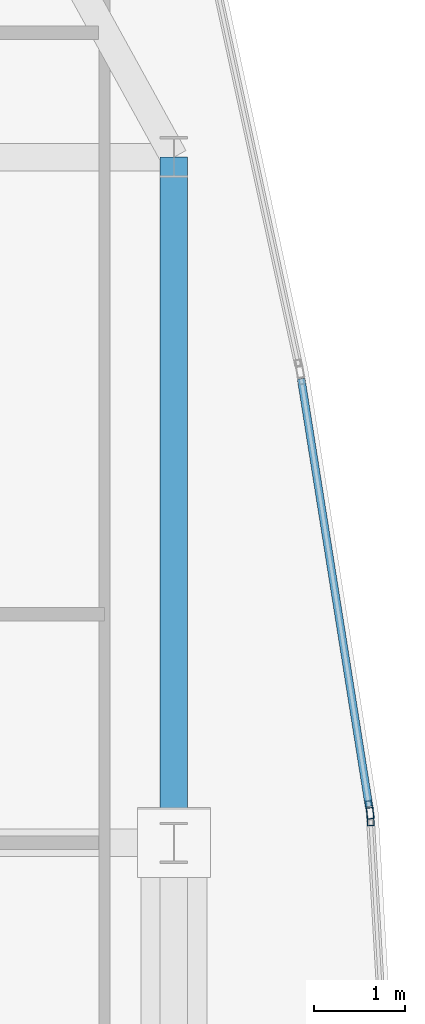
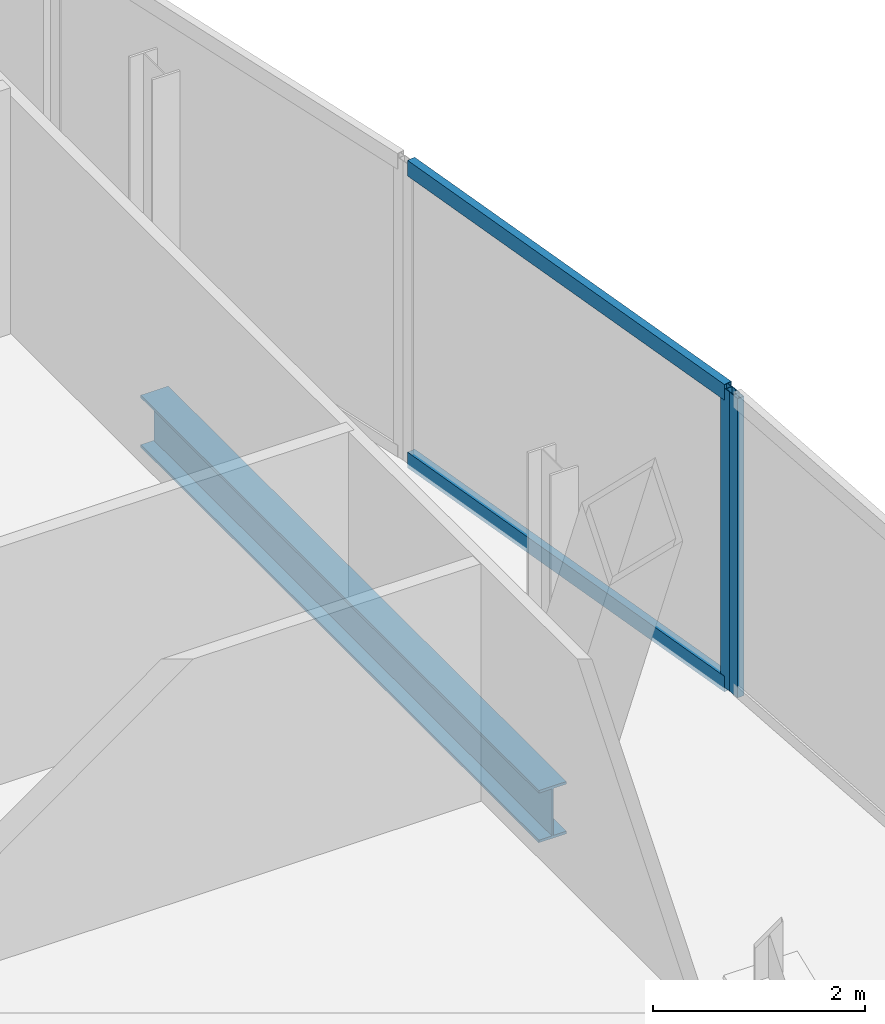
# One storey, part 21 of 33: 4 members, 1 beam, 2 elements without a shape of their own.
"""IFC4 building model written with IfcOpenShell, lengths in metres."""

from ifc_helpers import new_model, si_unit, direction, frame, origin, origin_2d, place, context, subcontext, project, spatial, hollow_rectangle, i_section, extrude, material, material_profile, profile_set, type_object, element, aggregate, save


model = new_model("IFC4")

# Units and contexts
model_context = context("Model", 3, precision=1e-05, world=origin(), true_north=direction((0.0, 1.0)))
body_context = subcontext(model_context, "Body", "Model", "MODEL_VIEW")
ifc_project = project(units=[si_unit("LENGTHUNIT", "METRE"), si_unit("AREAUNIT", "SQUARE_METRE"), si_unit("VOLUMEUNIT", "CUBIC_METRE"), si_unit("PLANEANGLEUNIT", "RADIAN"), si_unit("MASSUNIT", "GRAM", prefix="KILO")], contexts=[model_context])

# Site, building, storey
site_placement = place(None, origin())
site = spatial("IfcSite", under=ifc_project, at=site_placement, CompositionType="ELEMENT")
building_placement = place(site_placement, origin())
building = spatial("IfcBuilding", under=site, at=building_placement, Name="Khoronbel Lancet Exchange", CompositionType="ELEMENT")
storey_placement = place(building_placement, frame((0.0, 0.0, 210.199951171875)))
storey = spatial("IfcBuildingStorey", under=building, at=storey_placement, Name="L53", CompositionType="ELEMENT", Elevation=210.199951171875)

# Beam
ifc_material_1 = material(Name="Steel S355", Category="steel")
ifc_material_profile_1 = material_profile(ifc_material_1, i_section(OverallWidth=0.300048828125, OverallDepth=0.60009765625, WebThickness=0.015380859375, FlangeThickness=0.030029296875, at=origin_2d()), Name="HEB 600")
ifc_profile_set_1 = profile_set([ifc_material_profile_1], Name="Steel S355")
beam_type = type_object("IfcBeamType", Name="BM-BSP2", PredefinedType="SPANDREL", material=ifc_profile_set_1)
beam_placement = place(storey_placement, frame((65.6298828125, 35.699951171875, -0.4599609375), z_axis=(0.0, 1.0, 0.0), x_axis=(-1.0, 0.0, 0.0)))
element("IfcBeam", 1, at=beam_placement, inside=storey, type_object=beam_type, Name="Level L53 perimeter spandrel beam SP14", PredefinedType="SPANDREL", context=body_context, shape_type="SweptSolid", body=[
    extrude(i_section(OverallWidth=0.300048828125, OverallDepth=0.60009765625, WebThickness=0.015380859375, FlangeThickness=0.030029296875, at=origin_2d()), origin(), (0.0, 0.0, 1.0), 7.5),
])

# Curtain wall, member
ifc_material_2 = material(Name="Low-E Solar Control Insulating Glass", Category="glass")
curtain_wall_type = type_object("IfcCurtainWallType", Name="CW-4", PredefinedType="NOTDEFINED", material=ifc_material_2)
curtain_wall_1_placement = place(storey_placement, origin())
curtain_wall_1 = element("IfcCurtainWall", 2, at=curtain_wall_1_placement, inside=storey, type_object=curtain_wall_type, Name="Unitised curtain wall CW-L53-E18", PredefinedType="NOTDEFINED")
ifc_material_3 = material(Name="Bronze-Anodised Aluminium 6063-T6", Category="aluminium")
ifc_material_profile_2 = material_profile(ifc_material_3, hollow_rectangle(XDim=0.074951171875, YDim=0.199951171875, WallThickness=0.0048828125, at=origin_2d()), Name="ALU MULLION 75x200")
ifc_profile_set_2 = profile_set([ifc_material_profile_2], Name="Bronze-Anodised Aluminium 6063-T6")
member_type_1 = type_object("IfcMemberType", Name="MEM-CWM2", PredefinedType="MULLION", material=ifc_profile_set_2)
member_1_placement = place(storey_placement, frame((67.77001953125, 36.060546875, 0.0), z_axis=(0.0, 0.0, 1.0), x_axis=(0.987632712105, 0.156785286236, 0.0)))
member_1 = element("IfcMember", 3, at=member_1_placement, type_object=member_type_1, Name="CW4 mullion 2", PredefinedType="MULLION", context=body_context, shape_type="SweptSolid", body=[
    extrude(hollow_rectangle(XDim=0.074951171875, YDim=0.199951171875, WallThickness=0.0048828125, at=origin_2d()), origin(), (0.0, 0.0, 1.0), 3.43994140625),
])

curtain_wall_2_placement = place(storey_placement, origin())
curtain_wall_2 = element("IfcCurtainWall", 4, at=curtain_wall_2_placement, inside=storey, type_object=curtain_wall_type, Name="Unitised curtain wall CW-L53-E19", PredefinedType="NOTDEFINED")
member_2_placement = place(storey_placement, frame((67.778076171875, 35.986083984375, 0.0), z_axis=(0.0, 0.0, 1.0), x_axis=(0.998317069101, 0.05799163338, 0.0)))
member_2 = element("IfcMember", 5, at=member_2_placement, type_object=member_type_1, Name="CW4 mullion 1", PredefinedType="MULLION", context=body_context, shape_type="SweptSolid", body=[
    extrude(hollow_rectangle(XDim=0.074951171875, YDim=0.199951171875, WallThickness=0.0048828125, at=origin_2d()), origin(), (0.0, 0.0, 1.0), 3.43994140625),
])
aggregate(curtain_wall_2, [member_2])

# Member
ifc_material_profile_3 = material_profile(ifc_material_3, hollow_rectangle(XDim=0.0849609375, YDim=0.179931640625, WallThickness=0.0048828125, at=origin_2d()), Name="ALU TRANSOM 85x180")
ifc_profile_set_3 = profile_set([ifc_material_profile_3], Name="Bronze-Anodised Aluminium 6063-T6")
member_type_2 = type_object("IfcMemberType", Name="MEM-CWT1", PredefinedType="USERDEFINED", material=ifc_profile_set_3)
member_3_placement = place(storey_placement, frame((67.021240234375, 40.776123046875, 0.04248046875), z_axis=(0.1568305828, -0.987625520275, 0.0), x_axis=(0.987625520275, 0.1568305828, 0.0)))
member_3 = element("IfcMember", 6, at=member_3_placement, type_object=member_type_2, Name="CW4 transom 1.1", ObjectType="TRANSOM", PredefinedType="USERDEFINED", context=body_context, shape_type="SweptSolid", body=[
    extrude(hollow_rectangle(XDim=0.0849609375, YDim=0.179931640625, WallThickness=0.0048828125, at=origin_2d()), origin(), (0.0, 0.0, 1.0), 4.737060546875),
])

member_4_placement = place(storey_placement, frame((67.021240234375, 40.776123046875, 3.3974609375), z_axis=(0.1568305828, -0.987625520275, 0.0), x_axis=(0.987625520275, 0.1568305828, 0.0)))
member_4 = element("IfcMember", 7, at=member_4_placement, type_object=member_type_2, Name="CW4 transom 1.2", ObjectType="TRANSOM", PredefinedType="USERDEFINED", context=body_context, shape_type="SweptSolid", body=[
    extrude(hollow_rectangle(XDim=0.0849609375, YDim=0.179931640625, WallThickness=0.0048828125, at=origin_2d()), origin(), (0.0, 0.0, 1.0), 4.737060546875),
])

aggregate(curtain_wall_1, [member_1, member_3, member_4])

save(model, "model.ifc")
